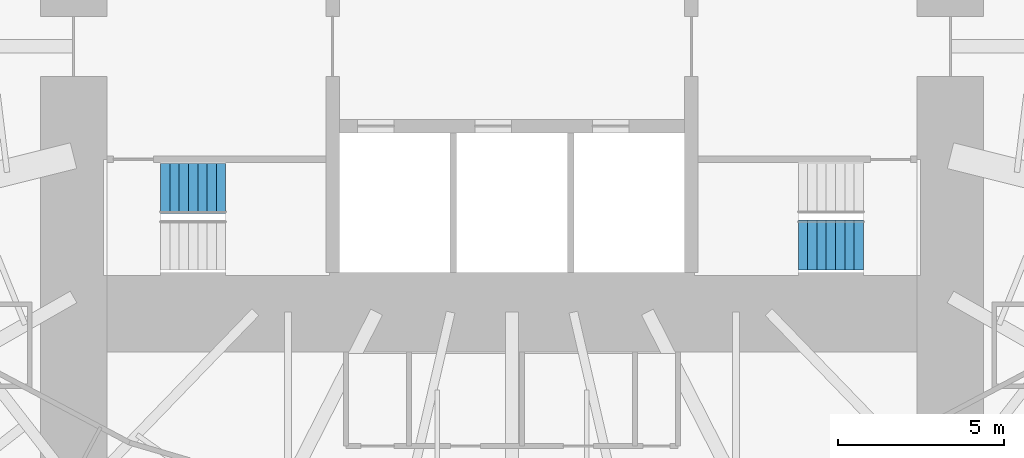
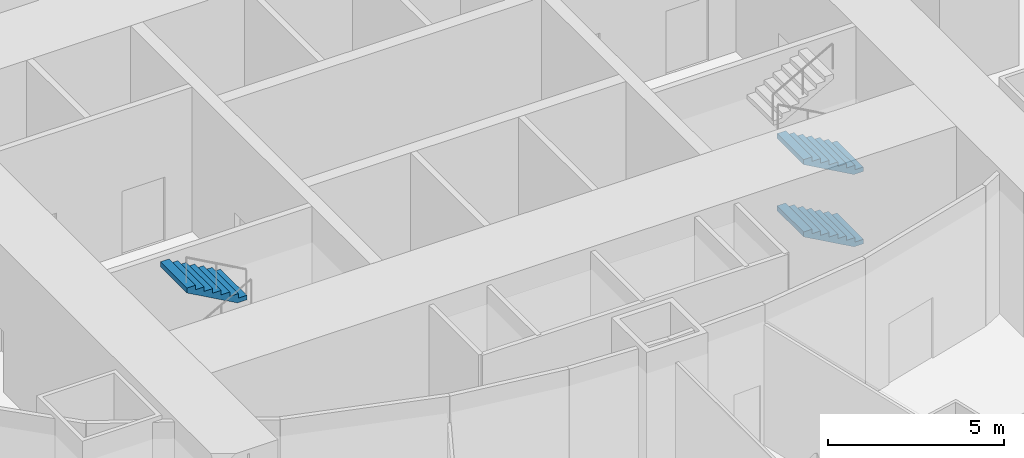
# One storey, part 21 of 25: 3 stair flights, 2 elements without a shape of their own.
"""IFC4 building model written with IfcOpenShell, lengths in metres."""

from ifc_helpers import new_model, si_unit, direction, frame, origin, place, context, subcontext, project, spatial, triangles, material, type_object, element, aggregate, save


model = new_model("IFC4")

# Units and contexts
model_context = context("Model", 3, precision=1e-05, world=origin(), true_north=direction((0.0, 1.0)))
body_context = subcontext(model_context, "Body", "Model", "MODEL_VIEW")
ifc_project = project(units=[si_unit("LENGTHUNIT", "METRE"), si_unit("AREAUNIT", "SQUARE_METRE"), si_unit("VOLUMEUNIT", "CUBIC_METRE"), si_unit("PLANEANGLEUNIT", "RADIAN"), si_unit("MASSUNIT", "GRAM", prefix="KILO")], contexts=[model_context])

# Site, building, storey
site_placement = place(None, origin())
site = spatial("IfcSite", under=ifc_project, at=site_placement, CompositionType="ELEMENT")
building_placement = place(site_placement, origin())
building = spatial("IfcBuilding", under=site, at=building_placement, Name="Lantaw Convention Tower", CompositionType="ELEMENT")
storey_placement = place(building_placement, frame((0.0, 0.0, 32.0)))
storey = spatial("IfcBuildingStorey", under=building, at=storey_placement, Name="L05", CompositionType="ELEMENT", Elevation=32.0)

# Stair, stair flight
ifc_material = material(Name="Concrete C35/45", Category="concrete")
stair_type = type_object("IfcStairType", Name="Exit stair 1500 riser 156.25 in 4 flights", PredefinedType="HALF_TURN_STAIR", material=ifc_material)
stair_1_placement = place(storey_placement, origin())
stair_1 = element("IfcStair", 1, at=stair_1_placement, inside=storey, type_object=stair_type, Name="Exit stair S1 L05", PredefinedType="HALF_TURN_STAIR")
stair_flight_type = type_object("IfcStairFlightType", Name="Stair flight 1500 riser 156.25", PredefinedType="STRAIGHT", material=ifc_material)
stair_flight_1_placement = place(storey_placement, frame((-8.6201171875, -4.280029296875, 3.75), z_axis=(0.0, 0.0, 1.0), x_axis=(-1.0, 0.0, 0.0)))
stair_flight_1 = element("IfcStairFlight", 2, at=stair_flight_1_placement, type_object=stair_flight_type, Name="S1 flight 4", NumberOfRisers=8, NumberOfTreads=7, PredefinedType="STRAIGHT", RiserHeight=0.15625, TreadLength=0.28, context=body_context, shape_type="Tessellation", body=[
    triangles([(0.0, 0.75, 0.0), (0.0, 0.75, 0.15625), (0.28, 0.75, 0.0), (0.28, 0.75, 0.15625), (0.28, 0.75, 0.3125), (0.3076200632058044, 0.75, 0.0), (0.3076200632058044, 0.75, 0.3125), (0.56, 0.75, 0.14083701830033238), (0.56, 0.75, 0.3125), (0.56, 0.75, 0.46875), (0.8400000000000001, 0.75, 0.29708701830033235), (0.8400000000000001, 0.75, 0.46875), (0.8400000000000001, 0.75, 0.625), (1.12, 0.75, 0.45333701830033235), (1.12, 0.75, 0.625), (1.12, 0.75, 0.78125), (1.4000000000000001, 0.75, 0.6095870183003324), (1.4000000000000001, 0.75, 0.78125), (1.4000000000000001, 0.75, 0.9375), (1.6800000000000002, 0.75, 0.7658370183003324), (1.6800000000000002, 0.75, 0.9375), (1.6800000000000002, 0.75, 1.09375), (1.9600000000000002, 0.75, 0.9220870183003324), (1.9600000000000002, 0.75, 1.09375), (0.0, -0.75, 0.0), (0.0, -0.75, 0.15625), (0.28, -0.75, 0.0), (0.28, -0.75, 0.15625), (0.28, -0.75, 0.3125), (0.3076200632058044, -0.75, 0.0), (0.3076200632058044, -0.75, 0.3125), (0.56, -0.75, 0.14083701830033238), (0.56, -0.75, 0.3125), (0.56, -0.75, 0.46875), (0.8400000000000001, -0.75, 0.29708701830033235), (0.8400000000000001, -0.75, 0.46875), (0.8400000000000001, -0.75, 0.625), (1.12, -0.75, 0.45333701830033235), (1.12, -0.75, 0.625), (1.12, -0.75, 0.78125), (1.4000000000000001, -0.75, 0.6095870183003324), (1.4000000000000001, -0.75, 0.78125), (1.4000000000000001, -0.75, 0.9375), (1.6800000000000002, -0.75, 0.7658370183003324), (1.6800000000000002, -0.75, 0.9375), (1.6800000000000002, -0.75, 1.09375), (1.9600000000000002, -0.75, 0.9220870183003324), (1.9600000000000002, -0.75, 1.09375), (0.0, 0.15000000000000002, 0.15625), (0.0, 0.15000000000000002, 0.0), (0.0, 0.0, 0.15625), (0.0, 0.0, 0.0), (0.0, -0.15000000000000002, 0.15625), (0.0, -0.15000000000000002, 0.0), (0.28, 0.15000000000000002, 0.3125), (0.28, 0.15000000000000002, 0.15625), (0.28, 0.0, 0.3125), (0.28, 0.0, 0.15625), (0.28, -0.15000000000000002, 0.3125), (0.28, -0.15000000000000002, 0.15625), (0.56, 0.15000000000000002, 0.46875), (0.56, 0.15000000000000002, 0.3125), (0.56, 0.0, 0.46875), (0.56, 0.0, 0.3125), (0.56, -0.15000000000000002, 0.46875), (0.56, -0.15000000000000002, 0.3125), (0.8400000000000001, 0.15000000000000002, 0.625), (0.8400000000000001, 0.15000000000000002, 0.46875), (0.8400000000000001, 0.0, 0.625), (0.8400000000000001, 0.0, 0.46875), (0.8400000000000001, -0.15000000000000002, 0.625), (0.8400000000000001, -0.15000000000000002, 0.46875), (1.12, 0.15000000000000002, 0.78125), (1.12, 0.15000000000000002, 0.625), (1.12, 0.0, 0.78125), (1.12, 0.0, 0.625), (1.12, -0.15000000000000002, 0.78125), (1.12, -0.15000000000000002, 0.625), (1.4000000000000001, 0.15000000000000002, 0.9375), (1.4000000000000001, 0.15000000000000002, 0.78125), (1.4000000000000001, 0.0, 0.9375), (1.4000000000000001, 0.0, 0.78125), (1.4000000000000001, -0.15000000000000002, 0.9375), (1.4000000000000001, -0.15000000000000002, 0.78125), (1.6800000000000002, 0.15000000000000002, 1.09375), (1.6800000000000002, 0.15000000000000002, 0.9375), (1.6800000000000002, 0.0, 1.09375), (1.6800000000000002, 0.0, 0.9375), (1.6800000000000002, -0.15000000000000002, 1.09375), (1.6800000000000002, -0.15000000000000002, 0.9375), (0.3076200632058044, 0.15000000000000002, 0.3125), (0.3076200632058044, 0.0, 0.3125), (0.3076200632058044, -0.15000000000000002, 0.3125), (1.9600000000000002, 0.15000000000000002, 1.09375), (1.9600000000000002, 0.0, 1.09375), (1.9600000000000002, -0.15000000000000002, 1.09375), (1.9600000000000002, 0.15000000000000002, 0.9220870183003324), (1.9600000000000002, 0.0, 0.9220870183003324), (1.9600000000000002, -0.15000000000000002, 0.9220870183003324), (1.6800000000000002, 0.15000000000000002, 0.7658370183003324), (1.6800000000000002, 0.0, 0.7658370183003324), (1.6800000000000002, -0.15000000000000002, 0.7658370183003324), (1.4000000000000001, 0.15000000000000002, 0.6095870183003324), (1.4000000000000001, 0.0, 0.6095870183003324), (1.4000000000000001, -0.15000000000000002, 0.6095870183003324), (1.12, 0.15000000000000002, 0.45333701830033235), (1.12, 0.0, 0.45333701830033235), (1.12, -0.15000000000000002, 0.45333701830033235), (0.8400000000000001, 0.15000000000000002, 0.29708701830033235), (0.8400000000000001, 0.0, 0.29708701830033235), (0.8400000000000001, -0.15000000000000002, 0.29708701830033235), (0.56, 0.15000000000000002, 0.14083701830033238), (0.56, 0.0, 0.14083701830033238), (0.56, -0.15000000000000002, 0.14083701830033238), (0.3076200632058044, 0.15000000000000002, 0.0), (0.3076200632058044, 0.0, 0.0), (0.3076200632058044, -0.15000000000000002, 0.0), (0.28, 0.15000000000000002, 0.0), (0.28, 0.0, 0.0), (0.28, -0.15000000000000002, 0.0)], [[1, 4, 3], [1, 2, 4], [3, 4, 6], [4, 7, 6], [4, 5, 7], [6, 9, 8], [6, 7, 9], [8, 9, 11], [9, 12, 11], [9, 10, 12], [11, 12, 14], [12, 15, 14], [12, 13, 15], [14, 15, 17], [15, 18, 17], [15, 16, 18], [17, 18, 20], [18, 21, 20], [18, 19, 21], [20, 21, 23], [21, 24, 23], [21, 22, 24], [25, 27, 28], [25, 28, 26], [27, 30, 28], [28, 30, 31], [28, 31, 29], [30, 32, 33], [30, 33, 31], [32, 35, 33], [33, 35, 36], [33, 36, 34], [35, 38, 36], [36, 38, 39], [36, 39, 37], [38, 41, 39], [39, 41, 42], [39, 42, 40], [41, 44, 42], [42, 44, 45], [42, 45, 43], [44, 47, 45], [45, 47, 48], [45, 48, 46], [1, 49, 2], [1, 50, 49], [50, 51, 49], [50, 52, 51], [52, 53, 51], [52, 54, 53], [54, 26, 53], [54, 25, 26], [4, 55, 5], [4, 56, 55], [56, 57, 55], [56, 58, 57], [58, 59, 57], [58, 60, 59], [60, 29, 59], [60, 28, 29], [9, 61, 10], [9, 62, 61], [62, 63, 61], [62, 64, 63], [64, 65, 63], [64, 66, 65], [66, 34, 65], [66, 33, 34], [12, 67, 13], [12, 68, 67], [68, 69, 67], [68, 70, 69], [70, 71, 69], [70, 72, 71], [72, 37, 71], [72, 36, 37], [15, 73, 16], [15, 74, 73], [74, 75, 73], [74, 76, 75], [76, 77, 75], [76, 78, 77], [78, 40, 77], [78, 39, 40], [18, 79, 19], [18, 80, 79], [80, 81, 79], [80, 82, 81], [82, 83, 81], [82, 84, 83], [84, 43, 83], [84, 42, 43], [21, 85, 22], [21, 86, 85], [86, 87, 85], [86, 88, 87], [88, 89, 87], [88, 90, 89], [90, 46, 89], [90, 45, 46], [2, 56, 4], [2, 49, 56], [49, 58, 56], [49, 51, 58], [51, 60, 58], [51, 53, 60], [53, 28, 60], [53, 26, 28], [5, 91, 7], [5, 55, 91], [55, 92, 91], [55, 57, 92], [57, 93, 92], [57, 59, 93], [59, 31, 93], [59, 29, 31], [7, 62, 9], [7, 91, 62], [91, 64, 62], [91, 92, 64], [92, 66, 64], [92, 93, 66], [93, 33, 66], [93, 31, 33], [10, 68, 12], [10, 61, 68], [61, 70, 68], [61, 63, 70], [63, 72, 70], [63, 65, 72], [65, 36, 72], [65, 34, 36], [13, 74, 15], [13, 67, 74], [67, 76, 74], [67, 69, 76], [69, 78, 76], [69, 71, 78], [71, 39, 78], [71, 37, 39], [16, 80, 18], [16, 73, 80], [73, 82, 80], [73, 75, 82], [75, 84, 82], [75, 77, 84], [77, 42, 84], [77, 40, 42], [19, 86, 21], [19, 79, 86], [79, 88, 86], [79, 81, 88], [81, 90, 88], [81, 83, 90], [83, 45, 90], [83, 43, 45], [22, 94, 24], [22, 85, 94], [85, 95, 94], [85, 87, 95], [87, 96, 95], [87, 89, 96], [89, 48, 96], [89, 46, 48], [24, 97, 23], [24, 94, 97], [94, 98, 97], [94, 95, 98], [95, 99, 98], [95, 96, 99], [96, 47, 99], [96, 48, 47], [23, 100, 20], [23, 97, 100], [97, 101, 100], [97, 98, 101], [98, 102, 101], [98, 99, 102], [99, 44, 102], [99, 47, 44], [20, 103, 17], [20, 100, 103], [100, 104, 103], [100, 101, 104], [101, 105, 104], [101, 102, 105], [102, 41, 105], [102, 44, 41], [17, 106, 14], [17, 103, 106], [103, 107, 106], [103, 104, 107], [104, 108, 107], [104, 105, 108], [105, 38, 108], [105, 41, 38], [14, 109, 11], [14, 106, 109], [106, 110, 109], [106, 107, 110], [107, 111, 110], [107, 108, 111], [108, 35, 111], [108, 38, 35], [11, 112, 8], [11, 109, 112], [109, 113, 112], [109, 110, 113], [110, 114, 113], [110, 111, 114], [111, 32, 114], [111, 35, 32], [8, 115, 6], [8, 112, 115], [112, 116, 115], [112, 113, 116], [113, 117, 116], [113, 114, 117], [114, 30, 117], [114, 32, 30], [6, 118, 3], [6, 115, 118], [115, 119, 118], [115, 116, 119], [116, 120, 119], [116, 117, 120], [117, 27, 120], [117, 30, 27], [3, 50, 1], [3, 118, 50], [118, 52, 50], [118, 119, 52], [119, 54, 52], [119, 120, 54], [120, 25, 54], [120, 27, 25]], closed=True),
])
aggregate(stair_1, [stair_flight_1])

# Stair, stair flights
stair_2_placement = place(storey_placement, origin())
stair_2 = element("IfcStair", 3, at=stair_2_placement, inside=storey, type_object=stair_type, Name="Exit stair S2 L05", PredefinedType="HALF_TURN_STAIR")
stair_flight_2_placement = place(storey_placement, frame((10.580078125, -5.97998046875, 0.0), z_axis=(0.0, 0.0, 1.0), x_axis=(-1.0, 0.0, 0.0)))
stair_flight_2 = element("IfcStairFlight", 4, at=stair_flight_2_placement, type_object=stair_flight_type, Name="S2 flight 1", NumberOfRisers=8, NumberOfTreads=7, PredefinedType="STRAIGHT", RiserHeight=0.15625, TreadLength=0.28, context=body_context, shape_type="Tessellation", body=[
    triangles([(0.0, 0.75, 0.0), (0.0, 0.75, 0.15625), (0.28, 0.75, 0.0), (0.28, 0.75, 0.15625), (0.28, 0.75, 0.3125), (0.3076200632058044, 0.75, 0.0), (0.3076200632058044, 0.75, 0.3125), (0.56, 0.75, 0.14083701830033238), (0.56, 0.75, 0.3125), (0.56, 0.75, 0.46875), (0.8400000000000001, 0.75, 0.29708701830033235), (0.8400000000000001, 0.75, 0.46875), (0.8400000000000001, 0.75, 0.625), (1.12, 0.75, 0.45333701830033235), (1.12, 0.75, 0.625), (1.12, 0.75, 0.78125), (1.4000000000000001, 0.75, 0.6095870183003324), (1.4000000000000001, 0.75, 0.78125), (1.4000000000000001, 0.75, 0.9375), (1.6800000000000002, 0.75, 0.7658370183003324), (1.6800000000000002, 0.75, 0.9375), (1.6800000000000002, 0.75, 1.09375), (1.9600000000000002, 0.75, 0.9220870183003324), (1.9600000000000002, 0.75, 1.09375), (0.0, -0.75, 0.0), (0.0, -0.75, 0.15625), (0.28, -0.75, 0.0), (0.28, -0.75, 0.15625), (0.28, -0.75, 0.3125), (0.3076200632058044, -0.75, 0.0), (0.3076200632058044, -0.75, 0.3125), (0.56, -0.75, 0.14083701830033238), (0.56, -0.75, 0.3125), (0.56, -0.75, 0.46875), (0.8400000000000001, -0.75, 0.29708701830033235), (0.8400000000000001, -0.75, 0.46875), (0.8400000000000001, -0.75, 0.625), (1.12, -0.75, 0.45333701830033235), (1.12, -0.75, 0.625), (1.12, -0.75, 0.78125), (1.4000000000000001, -0.75, 0.6095870183003324), (1.4000000000000001, -0.75, 0.78125), (1.4000000000000001, -0.75, 0.9375), (1.6800000000000002, -0.75, 0.7658370183003324), (1.6800000000000002, -0.75, 0.9375), (1.6800000000000002, -0.75, 1.09375), (1.9600000000000002, -0.75, 0.9220870183003324), (1.9600000000000002, -0.75, 1.09375), (0.0, 0.15000000000000002, 0.15625), (0.0, 0.15000000000000002, 0.0), (0.0, 0.0, 0.15625), (0.0, 0.0, 0.0), (0.0, -0.15000000000000002, 0.15625), (0.0, -0.15000000000000002, 0.0), (0.28, 0.15000000000000002, 0.3125), (0.28, 0.15000000000000002, 0.15625), (0.28, 0.0, 0.3125), (0.28, 0.0, 0.15625), (0.28, -0.15000000000000002, 0.3125), (0.28, -0.15000000000000002, 0.15625), (0.56, 0.15000000000000002, 0.46875), (0.56, 0.15000000000000002, 0.3125), (0.56, 0.0, 0.46875), (0.56, 0.0, 0.3125), (0.56, -0.15000000000000002, 0.46875), (0.56, -0.15000000000000002, 0.3125), (0.8400000000000001, 0.15000000000000002, 0.625), (0.8400000000000001, 0.15000000000000002, 0.46875), (0.8400000000000001, 0.0, 0.625), (0.8400000000000001, 0.0, 0.46875), (0.8400000000000001, -0.15000000000000002, 0.625), (0.8400000000000001, -0.15000000000000002, 0.46875), (1.12, 0.15000000000000002, 0.78125), (1.12, 0.15000000000000002, 0.625), (1.12, 0.0, 0.78125), (1.12, 0.0, 0.625), (1.12, -0.15000000000000002, 0.78125), (1.12, -0.15000000000000002, 0.625), (1.4000000000000001, 0.15000000000000002, 0.9375), (1.4000000000000001, 0.15000000000000002, 0.78125), (1.4000000000000001, 0.0, 0.9375), (1.4000000000000001, 0.0, 0.78125), (1.4000000000000001, -0.15000000000000002, 0.9375), (1.4000000000000001, -0.15000000000000002, 0.78125), (1.6800000000000002, 0.15000000000000002, 1.09375), (1.6800000000000002, 0.15000000000000002, 0.9375), (1.6800000000000002, 0.0, 1.09375), (1.6800000000000002, 0.0, 0.9375), (1.6800000000000002, -0.15000000000000002, 1.09375), (1.6800000000000002, -0.15000000000000002, 0.9375), (0.3076200632058044, 0.15000000000000002, 0.3125), (0.3076200632058044, 0.0, 0.3125), (0.3076200632058044, -0.15000000000000002, 0.3125), (1.9600000000000002, 0.15000000000000002, 1.09375), (1.9600000000000002, 0.0, 1.09375), (1.9600000000000002, -0.15000000000000002, 1.09375), (1.9600000000000002, 0.15000000000000002, 0.9220870183003324), (1.9600000000000002, 0.0, 0.9220870183003324), (1.9600000000000002, -0.15000000000000002, 0.9220870183003324), (1.6800000000000002, 0.15000000000000002, 0.7658370183003324), (1.6800000000000002, 0.0, 0.7658370183003324), (1.6800000000000002, -0.15000000000000002, 0.7658370183003324), (1.4000000000000001, 0.15000000000000002, 0.6095870183003324), (1.4000000000000001, 0.0, 0.6095870183003324), (1.4000000000000001, -0.15000000000000002, 0.6095870183003324), (1.12, 0.15000000000000002, 0.45333701830033235), (1.12, 0.0, 0.45333701830033235), (1.12, -0.15000000000000002, 0.45333701830033235), (0.8400000000000001, 0.15000000000000002, 0.29708701830033235), (0.8400000000000001, 0.0, 0.29708701830033235), (0.8400000000000001, -0.15000000000000002, 0.29708701830033235), (0.56, 0.15000000000000002, 0.14083701830033238), (0.56, 0.0, 0.14083701830033238), (0.56, -0.15000000000000002, 0.14083701830033238), (0.3076200632058044, 0.15000000000000002, 0.0), (0.3076200632058044, 0.0, 0.0), (0.3076200632058044, -0.15000000000000002, 0.0), (0.28, 0.15000000000000002, 0.0), (0.28, 0.0, 0.0), (0.28, -0.15000000000000002, 0.0)], [[1, 4, 3], [1, 2, 4], [3, 4, 6], [4, 7, 6], [4, 5, 7], [6, 9, 8], [6, 7, 9], [8, 9, 11], [9, 12, 11], [9, 10, 12], [11, 12, 14], [12, 15, 14], [12, 13, 15], [14, 15, 17], [15, 18, 17], [15, 16, 18], [17, 18, 20], [18, 21, 20], [18, 19, 21], [20, 21, 23], [21, 24, 23], [21, 22, 24], [25, 27, 28], [25, 28, 26], [27, 30, 28], [28, 30, 31], [28, 31, 29], [30, 32, 33], [30, 33, 31], [32, 35, 33], [33, 35, 36], [33, 36, 34], [35, 38, 36], [36, 38, 39], [36, 39, 37], [38, 41, 39], [39, 41, 42], [39, 42, 40], [41, 44, 42], [42, 44, 45], [42, 45, 43], [44, 47, 45], [45, 47, 48], [45, 48, 46], [1, 49, 2], [1, 50, 49], [50, 51, 49], [50, 52, 51], [52, 53, 51], [52, 54, 53], [54, 26, 53], [54, 25, 26], [4, 55, 5], [4, 56, 55], [56, 57, 55], [56, 58, 57], [58, 59, 57], [58, 60, 59], [60, 29, 59], [60, 28, 29], [9, 61, 10], [9, 62, 61], [62, 63, 61], [62, 64, 63], [64, 65, 63], [64, 66, 65], [66, 34, 65], [66, 33, 34], [12, 67, 13], [12, 68, 67], [68, 69, 67], [68, 70, 69], [70, 71, 69], [70, 72, 71], [72, 37, 71], [72, 36, 37], [15, 73, 16], [15, 74, 73], [74, 75, 73], [74, 76, 75], [76, 77, 75], [76, 78, 77], [78, 40, 77], [78, 39, 40], [18, 79, 19], [18, 80, 79], [80, 81, 79], [80, 82, 81], [82, 83, 81], [82, 84, 83], [84, 43, 83], [84, 42, 43], [21, 85, 22], [21, 86, 85], [86, 87, 85], [86, 88, 87], [88, 89, 87], [88, 90, 89], [90, 46, 89], [90, 45, 46], [2, 56, 4], [2, 49, 56], [49, 58, 56], [49, 51, 58], [51, 60, 58], [51, 53, 60], [53, 28, 60], [53, 26, 28], [5, 91, 7], [5, 55, 91], [55, 92, 91], [55, 57, 92], [57, 93, 92], [57, 59, 93], [59, 31, 93], [59, 29, 31], [7, 62, 9], [7, 91, 62], [91, 64, 62], [91, 92, 64], [92, 66, 64], [92, 93, 66], [93, 33, 66], [93, 31, 33], [10, 68, 12], [10, 61, 68], [61, 70, 68], [61, 63, 70], [63, 72, 70], [63, 65, 72], [65, 36, 72], [65, 34, 36], [13, 74, 15], [13, 67, 74], [67, 76, 74], [67, 69, 76], [69, 78, 76], [69, 71, 78], [71, 39, 78], [71, 37, 39], [16, 80, 18], [16, 73, 80], [73, 82, 80], [73, 75, 82], [75, 84, 82], [75, 77, 84], [77, 42, 84], [77, 40, 42], [19, 86, 21], [19, 79, 86], [79, 88, 86], [79, 81, 88], [81, 90, 88], [81, 83, 90], [83, 45, 90], [83, 43, 45], [22, 94, 24], [22, 85, 94], [85, 95, 94], [85, 87, 95], [87, 96, 95], [87, 89, 96], [89, 48, 96], [89, 46, 48], [24, 97, 23], [24, 94, 97], [94, 98, 97], [94, 95, 98], [95, 99, 98], [95, 96, 99], [96, 47, 99], [96, 48, 47], [23, 100, 20], [23, 97, 100], [97, 101, 100], [97, 98, 101], [98, 102, 101], [98, 99, 102], [99, 44, 102], [99, 47, 44], [20, 103, 17], [20, 100, 103], [100, 104, 103], [100, 101, 104], [101, 105, 104], [101, 102, 105], [102, 41, 105], [102, 44, 41], [17, 106, 14], [17, 103, 106], [103, 107, 106], [103, 104, 107], [104, 108, 107], [104, 105, 108], [105, 38, 108], [105, 41, 38], [14, 109, 11], [14, 106, 109], [106, 110, 109], [106, 107, 110], [107, 111, 110], [107, 108, 111], [108, 35, 111], [108, 38, 35], [11, 112, 8], [11, 109, 112], [109, 113, 112], [109, 110, 113], [110, 114, 113], [110, 111, 114], [111, 32, 114], [111, 35, 32], [8, 115, 6], [8, 112, 115], [112, 116, 115], [112, 113, 116], [113, 117, 116], [113, 114, 117], [114, 30, 117], [114, 32, 30], [6, 118, 3], [6, 115, 118], [115, 119, 118], [115, 116, 119], [116, 120, 119], [116, 117, 120], [117, 27, 120], [117, 30, 27], [3, 50, 1], [3, 118, 50], [118, 52, 50], [118, 119, 52], [119, 54, 52], [119, 120, 54], [120, 25, 54], [120, 27, 25]], closed=True),
])
stair_flight_3_placement = place(storey_placement, frame((10.580078125, -5.97998046875, 2.5), z_axis=(0.0, 0.0, 1.0), x_axis=(-1.0, 0.0, 0.0)))
stair_flight_3 = element("IfcStairFlight", 5, at=stair_flight_3_placement, type_object=stair_flight_type, Name="S2 flight 3", NumberOfRisers=8, NumberOfTreads=7, PredefinedType="STRAIGHT", RiserHeight=0.15625, TreadLength=0.28, context=body_context, shape_type="Tessellation", body=[
    triangles([(0.0, 0.75, 0.0), (0.0, 0.75, 0.15625), (0.28, 0.75, 0.0), (0.28, 0.75, 0.15625), (0.28, 0.75, 0.3125), (0.3076200632058044, 0.75, 0.0), (0.3076200632058044, 0.75, 0.3125), (0.56, 0.75, 0.14083701830033238), (0.56, 0.75, 0.3125), (0.56, 0.75, 0.46875), (0.8400000000000001, 0.75, 0.29708701830033235), (0.8400000000000001, 0.75, 0.46875), (0.8400000000000001, 0.75, 0.625), (1.12, 0.75, 0.45333701830033235), (1.12, 0.75, 0.625), (1.12, 0.75, 0.78125), (1.4000000000000001, 0.75, 0.6095870183003324), (1.4000000000000001, 0.75, 0.78125), (1.4000000000000001, 0.75, 0.9375), (1.6800000000000002, 0.75, 0.7658370183003324), (1.6800000000000002, 0.75, 0.9375), (1.6800000000000002, 0.75, 1.09375), (1.9600000000000002, 0.75, 0.9220870183003324), (1.9600000000000002, 0.75, 1.09375), (0.0, -0.75, 0.0), (0.0, -0.75, 0.15625), (0.28, -0.75, 0.0), (0.28, -0.75, 0.15625), (0.28, -0.75, 0.3125), (0.3076200632058044, -0.75, 0.0), (0.3076200632058044, -0.75, 0.3125), (0.56, -0.75, 0.14083701830033238), (0.56, -0.75, 0.3125), (0.56, -0.75, 0.46875), (0.8400000000000001, -0.75, 0.29708701830033235), (0.8400000000000001, -0.75, 0.46875), (0.8400000000000001, -0.75, 0.625), (1.12, -0.75, 0.45333701830033235), (1.12, -0.75, 0.625), (1.12, -0.75, 0.78125), (1.4000000000000001, -0.75, 0.6095870183003324), (1.4000000000000001, -0.75, 0.78125), (1.4000000000000001, -0.75, 0.9375), (1.6800000000000002, -0.75, 0.7658370183003324), (1.6800000000000002, -0.75, 0.9375), (1.6800000000000002, -0.75, 1.09375), (1.9600000000000002, -0.75, 0.9220870183003324), (1.9600000000000002, -0.75, 1.09375), (0.0, 0.15000000000000002, 0.15625), (0.0, 0.15000000000000002, 0.0), (0.0, 0.0, 0.15625), (0.0, 0.0, 0.0), (0.0, -0.15000000000000002, 0.15625), (0.0, -0.15000000000000002, 0.0), (0.28, 0.15000000000000002, 0.3125), (0.28, 0.15000000000000002, 0.15625), (0.28, 0.0, 0.3125), (0.28, 0.0, 0.15625), (0.28, -0.15000000000000002, 0.3125), (0.28, -0.15000000000000002, 0.15625), (0.56, 0.15000000000000002, 0.46875), (0.56, 0.15000000000000002, 0.3125), (0.56, 0.0, 0.46875), (0.56, 0.0, 0.3125), (0.56, -0.15000000000000002, 0.46875), (0.56, -0.15000000000000002, 0.3125), (0.8400000000000001, 0.15000000000000002, 0.625), (0.8400000000000001, 0.15000000000000002, 0.46875), (0.8400000000000001, 0.0, 0.625), (0.8400000000000001, 0.0, 0.46875), (0.8400000000000001, -0.15000000000000002, 0.625), (0.8400000000000001, -0.15000000000000002, 0.46875), (1.12, 0.15000000000000002, 0.78125), (1.12, 0.15000000000000002, 0.625), (1.12, 0.0, 0.78125), (1.12, 0.0, 0.625), (1.12, -0.15000000000000002, 0.78125), (1.12, -0.15000000000000002, 0.625), (1.4000000000000001, 0.15000000000000002, 0.9375), (1.4000000000000001, 0.15000000000000002, 0.78125), (1.4000000000000001, 0.0, 0.9375), (1.4000000000000001, 0.0, 0.78125), (1.4000000000000001, -0.15000000000000002, 0.9375), (1.4000000000000001, -0.15000000000000002, 0.78125), (1.6800000000000002, 0.15000000000000002, 1.09375), (1.6800000000000002, 0.15000000000000002, 0.9375), (1.6800000000000002, 0.0, 1.09375), (1.6800000000000002, 0.0, 0.9375), (1.6800000000000002, -0.15000000000000002, 1.09375), (1.6800000000000002, -0.15000000000000002, 0.9375), (0.3076200632058044, 0.15000000000000002, 0.3125), (0.3076200632058044, 0.0, 0.3125), (0.3076200632058044, -0.15000000000000002, 0.3125), (1.9600000000000002, 0.15000000000000002, 1.09375), (1.9600000000000002, 0.0, 1.09375), (1.9600000000000002, -0.15000000000000002, 1.09375), (1.9600000000000002, 0.15000000000000002, 0.9220870183003324), (1.9600000000000002, 0.0, 0.9220870183003324), (1.9600000000000002, -0.15000000000000002, 0.9220870183003324), (1.6800000000000002, 0.15000000000000002, 0.7658370183003324), (1.6800000000000002, 0.0, 0.7658370183003324), (1.6800000000000002, -0.15000000000000002, 0.7658370183003324), (1.4000000000000001, 0.15000000000000002, 0.6095870183003324), (1.4000000000000001, 0.0, 0.6095870183003324), (1.4000000000000001, -0.15000000000000002, 0.6095870183003324), (1.12, 0.15000000000000002, 0.45333701830033235), (1.12, 0.0, 0.45333701830033235), (1.12, -0.15000000000000002, 0.45333701830033235), (0.8400000000000001, 0.15000000000000002, 0.29708701830033235), (0.8400000000000001, 0.0, 0.29708701830033235), (0.8400000000000001, -0.15000000000000002, 0.29708701830033235), (0.56, 0.15000000000000002, 0.14083701830033238), (0.56, 0.0, 0.14083701830033238), (0.56, -0.15000000000000002, 0.14083701830033238), (0.3076200632058044, 0.15000000000000002, 0.0), (0.3076200632058044, 0.0, 0.0), (0.3076200632058044, -0.15000000000000002, 0.0), (0.28, 0.15000000000000002, 0.0), (0.28, 0.0, 0.0), (0.28, -0.15000000000000002, 0.0)], [[1, 4, 3], [1, 2, 4], [3, 4, 6], [4, 7, 6], [4, 5, 7], [6, 9, 8], [6, 7, 9], [8, 9, 11], [9, 12, 11], [9, 10, 12], [11, 12, 14], [12, 15, 14], [12, 13, 15], [14, 15, 17], [15, 18, 17], [15, 16, 18], [17, 18, 20], [18, 21, 20], [18, 19, 21], [20, 21, 23], [21, 24, 23], [21, 22, 24], [25, 27, 28], [25, 28, 26], [27, 30, 28], [28, 30, 31], [28, 31, 29], [30, 32, 33], [30, 33, 31], [32, 35, 33], [33, 35, 36], [33, 36, 34], [35, 38, 36], [36, 38, 39], [36, 39, 37], [38, 41, 39], [39, 41, 42], [39, 42, 40], [41, 44, 42], [42, 44, 45], [42, 45, 43], [44, 47, 45], [45, 47, 48], [45, 48, 46], [1, 49, 2], [1, 50, 49], [50, 51, 49], [50, 52, 51], [52, 53, 51], [52, 54, 53], [54, 26, 53], [54, 25, 26], [4, 55, 5], [4, 56, 55], [56, 57, 55], [56, 58, 57], [58, 59, 57], [58, 60, 59], [60, 29, 59], [60, 28, 29], [9, 61, 10], [9, 62, 61], [62, 63, 61], [62, 64, 63], [64, 65, 63], [64, 66, 65], [66, 34, 65], [66, 33, 34], [12, 67, 13], [12, 68, 67], [68, 69, 67], [68, 70, 69], [70, 71, 69], [70, 72, 71], [72, 37, 71], [72, 36, 37], [15, 73, 16], [15, 74, 73], [74, 75, 73], [74, 76, 75], [76, 77, 75], [76, 78, 77], [78, 40, 77], [78, 39, 40], [18, 79, 19], [18, 80, 79], [80, 81, 79], [80, 82, 81], [82, 83, 81], [82, 84, 83], [84, 43, 83], [84, 42, 43], [21, 85, 22], [21, 86, 85], [86, 87, 85], [86, 88, 87], [88, 89, 87], [88, 90, 89], [90, 46, 89], [90, 45, 46], [2, 56, 4], [2, 49, 56], [49, 58, 56], [49, 51, 58], [51, 60, 58], [51, 53, 60], [53, 28, 60], [53, 26, 28], [5, 91, 7], [5, 55, 91], [55, 92, 91], [55, 57, 92], [57, 93, 92], [57, 59, 93], [59, 31, 93], [59, 29, 31], [7, 62, 9], [7, 91, 62], [91, 64, 62], [91, 92, 64], [92, 66, 64], [92, 93, 66], [93, 33, 66], [93, 31, 33], [10, 68, 12], [10, 61, 68], [61, 70, 68], [61, 63, 70], [63, 72, 70], [63, 65, 72], [65, 36, 72], [65, 34, 36], [13, 74, 15], [13, 67, 74], [67, 76, 74], [67, 69, 76], [69, 78, 76], [69, 71, 78], [71, 39, 78], [71, 37, 39], [16, 80, 18], [16, 73, 80], [73, 82, 80], [73, 75, 82], [75, 84, 82], [75, 77, 84], [77, 42, 84], [77, 40, 42], [19, 86, 21], [19, 79, 86], [79, 88, 86], [79, 81, 88], [81, 90, 88], [81, 83, 90], [83, 45, 90], [83, 43, 45], [22, 94, 24], [22, 85, 94], [85, 95, 94], [85, 87, 95], [87, 96, 95], [87, 89, 96], [89, 48, 96], [89, 46, 48], [24, 97, 23], [24, 94, 97], [94, 98, 97], [94, 95, 98], [95, 99, 98], [95, 96, 99], [96, 47, 99], [96, 48, 47], [23, 100, 20], [23, 97, 100], [97, 101, 100], [97, 98, 101], [98, 102, 101], [98, 99, 102], [99, 44, 102], [99, 47, 44], [20, 103, 17], [20, 100, 103], [100, 104, 103], [100, 101, 104], [101, 105, 104], [101, 102, 105], [102, 41, 105], [102, 44, 41], [17, 106, 14], [17, 103, 106], [103, 107, 106], [103, 104, 107], [104, 108, 107], [104, 105, 108], [105, 38, 108], [105, 41, 38], [14, 109, 11], [14, 106, 109], [106, 110, 109], [106, 107, 110], [107, 111, 110], [107, 108, 111], [108, 35, 111], [108, 38, 35], [11, 112, 8], [11, 109, 112], [109, 113, 112], [109, 110, 113], [110, 114, 113], [110, 111, 114], [111, 32, 114], [111, 35, 32], [8, 115, 6], [8, 112, 115], [112, 116, 115], [112, 113, 116], [113, 117, 116], [113, 114, 117], [114, 30, 117], [114, 32, 30], [6, 118, 3], [6, 115, 118], [115, 119, 118], [115, 116, 119], [116, 120, 119], [116, 117, 120], [117, 27, 120], [117, 30, 27], [3, 50, 1], [3, 118, 50], [118, 52, 50], [118, 119, 52], [119, 54, 52], [119, 120, 54], [120, 25, 54], [120, 27, 25]], closed=True),
])
aggregate(stair_2, [stair_flight_2, stair_flight_3])

save(model, "model.ifc")
